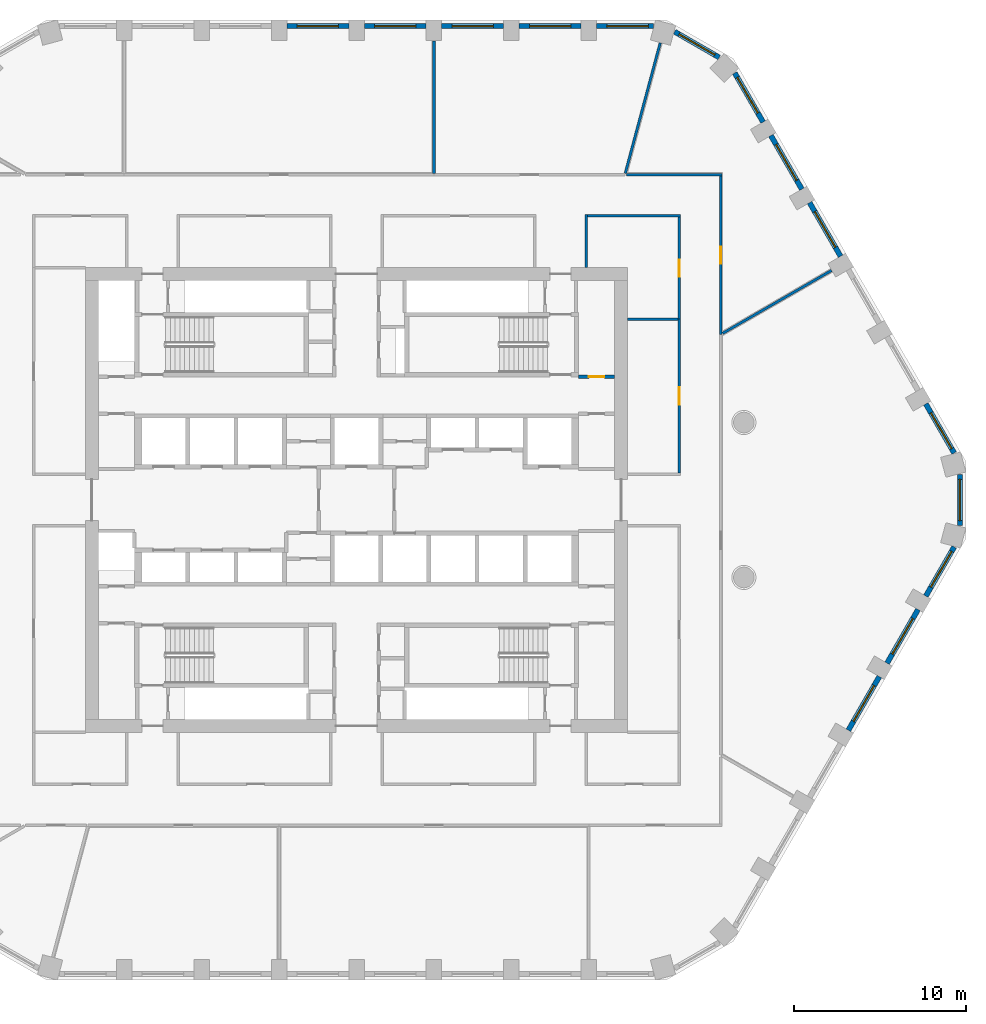
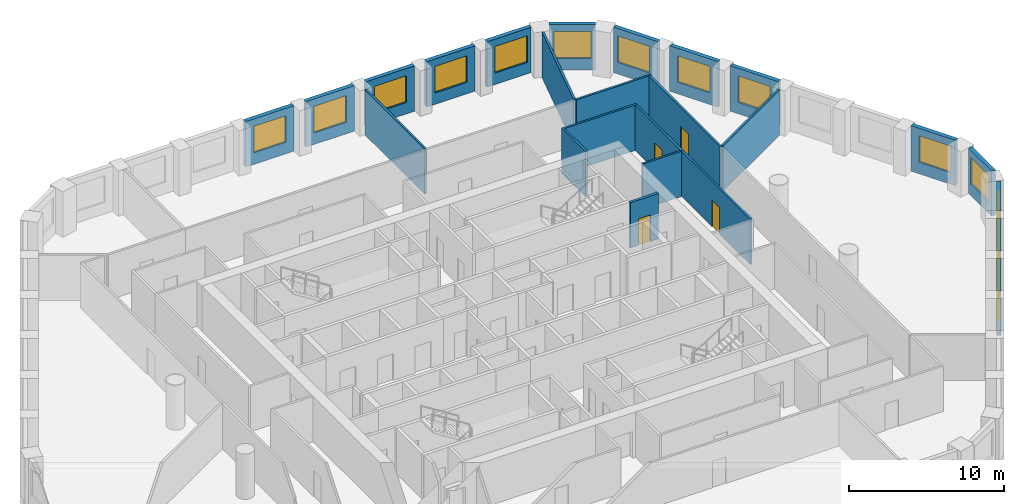
# One storey, part 8 of 14: 25 walls, 14 windows, 4 doors, 18 openings.
"""IFC4 building model written with IfcOpenShell, lengths in metres."""

from ifc_helpers import new_model, si_unit, direction, frame, frame_2d, origin, place, context, subcontext, project, spatial, rectangle, extrude, material, layer, layer_set, type_object, element, fill, save


model = new_model("IFC4")

# Units and contexts
model_context = context("Model", 3, precision=1e-05, world=origin(), true_north=direction((0.0, 1.0)))
body_context = subcontext(model_context, "Body", "Model", "MODEL_VIEW")
ifc_project = project(units=[si_unit("LENGTHUNIT", "METRE"), si_unit("AREAUNIT", "SQUARE_METRE"), si_unit("VOLUMEUNIT", "CUBIC_METRE"), si_unit("PLANEANGLEUNIT", "RADIAN"), si_unit("MASSUNIT", "GRAM", prefix="KILO")], contexts=[model_context])

# Site, building, storey
site_placement = place(None, origin())
site = spatial("IfcSite", under=ifc_project, at=site_placement, CompositionType="ELEMENT")
building_placement = place(site_placement, origin())
building = spatial("IfcBuilding", under=site, at=building_placement, Name="Dhurran Vertical Campus", CompositionType="ELEMENT")
storey_placement = place(building_placement, frame((0.0, 0.0, 136.5)))
storey = spatial("IfcBuildingStorey", under=building, at=storey_placement, Name="L33", CompositionType="ELEMENT", Elevation=136.5)

# Wall, opening, window
ifc_material_1 = material(Name="Precast concrete C50/60", Category="concrete")
ifc_layer_1 = layer(ifc_material_1, 0.300048828125)
ifc_layer_set_1 = layer_set([ifc_layer_1], Name="Precast concrete C50/60")
wall_type_1 = type_object("IfcWallType", Name="Precast spandrel wall 300", PredefinedType="SOLIDWALL", material=ifc_layer_set_1)
wall_1_placement = place(storey_placement, frame((28.5693359375, -13.376220703125, 0.0), z_axis=(0.0, 0.0, 1.0), x_axis=(0.500027802648, 0.866009351323, 0.0)))
wall_1 = element("IfcWall", 1, at=wall_1_placement, inside=storey, type_object=wall_type_1, Name="EW1 L33.12", PredefinedType="SOLIDWALL", context=body_context, shape_type="SweptSolid", body=[
    extrude(rectangle(XDim=3.598876953125, YDim=0.300048828125, at=frame_2d((1.79931640625, 0.0))), origin(), (0.0, 0.0, 1.0), 3.574951171875),
])
opening_1_placement = place(wall_1_placement, frame((0.599609375, 0.0, 0.89990234375)))
opening_1 = element("IfcOpeningElement", 2, at=opening_1_placement, cuts=wall_1, Name="Opening WT1", PredefinedType="OPENING", context=body_context, shape_type="SweptSolid", body=[
    extrude(rectangle(XDim=2.39990234375, YDim=2.10009765625, at=frame_2d((1.199951171875, 1.050048828125))), frame((0.0, 0.159912109375, 0.0), z_axis=(0.0, -1.0, 0.0), x_axis=(1.0, 0.0, 0.0)), (0.0, 0.0, 1.0), 0.320068359375),
])
ifc_material_2 = material(Name="Aluminium frame with solar-control glass", Category="aluminium")
window_type = type_object("IfcWindowType", Name="Punched window 2400 x 2100", PartitioningType="SINGLE_PANEL", PredefinedType="WINDOW", material=ifc_material_2)
window_1_placement = place(opening_1_placement, origin())
window_1 = element("IfcWindow", 3, at=window_1_placement, inside=storey, type_object=window_type, Name="WT1 L33.12", OverallHeight=2.10009765625, OverallWidth=2.39990234375, PartitioningType="SINGLE_PANEL", PredefinedType="WINDOW", context=body_context, shape_type="SweptSolid", body=[
    extrude(rectangle(XDim=2.39990234375, YDim=2.10009765625, at=frame_2d((1.199951171875, 1.050048828125))), frame((0.0, 0.030029296875, 0.0), z_axis=(0.0, -1.0, 0.0), x_axis=(1.0, 0.0, 0.0)), (0.0, 0.0, 1.0), 0.06005859375),
])
fill(opening_1, window_1)

wall_2_placement = place(storey_placement, frame((30.8193359375, -9.47900390625, 0.0), z_axis=(0.0, 0.0, 1.0), x_axis=(0.500027802648, 0.866009351323, 0.0)))
wall_2 = element("IfcWall", 4, at=wall_2_placement, inside=storey, type_object=wall_type_1, Name="EW1 L33.13", PredefinedType="SOLIDWALL", context=body_context, shape_type="SweptSolid", body=[
    extrude(rectangle(XDim=3.598876953125, YDim=0.300048828125, at=frame_2d((1.79931640625, 0.0))), origin(), (0.0, 0.0, 1.0), 3.574951171875),
])
opening_2_placement = place(wall_2_placement, frame((0.599609375, 0.0, 0.89990234375)))
opening_2 = element("IfcOpeningElement", 5, at=opening_2_placement, cuts=wall_2, Name="Opening WT1", PredefinedType="OPENING", context=body_context, shape_type="SweptSolid", body=[
    extrude(rectangle(XDim=2.39990234375, YDim=2.10009765625, at=frame_2d((1.199951171875, 1.050048828125))), frame((0.0, 0.159912109375, 0.0), z_axis=(0.0, -1.0, 0.0), x_axis=(1.0, 0.0, 0.0)), (0.0, 0.0, 1.0), 0.320068359375),
])
window_2_placement = place(opening_2_placement, origin())
window_2 = element("IfcWindow", 6, at=window_2_placement, inside=storey, type_object=window_type, Name="WT1 L33.13", OverallHeight=2.10009765625, OverallWidth=2.39990234375, PartitioningType="SINGLE_PANEL", PredefinedType="WINDOW", context=body_context, shape_type="SweptSolid", body=[
    extrude(rectangle(XDim=2.39990234375, YDim=2.10009765625, at=frame_2d((1.199951171875, 1.050048828125))), frame((0.0, 0.030029296875, 0.0), z_axis=(0.0, -1.0, 0.0), x_axis=(1.0, 0.0, 0.0)), (0.0, 0.0, 1.0), 0.06005859375),
])
fill(opening_2, window_2)

wall_3_placement = place(storey_placement, frame((33.0693359375, -5.58203125, 0.0), z_axis=(0.0, 0.0, 1.0), x_axis=(0.499981217486, 0.866036247602, 0.0)))
wall_3 = element("IfcWall", 7, at=wall_3_placement, inside=storey, type_object=wall_type_1, Name="EW1 L33.14", PredefinedType="SOLIDWALL", context=body_context, shape_type="SweptSolid", body=[
    extrude(rectangle(XDim=3.294189453125, YDim=0.300048828125, at=frame_2d((1.64697265625, 0.0))), origin(), (0.0, 0.0, 1.0), 3.574951171875),
])
opening_3_placement = place(wall_3_placement, frame((0.599609375, 0.0, 0.89990234375)))
opening_3 = element("IfcOpeningElement", 8, at=opening_3_placement, cuts=wall_3, Name="Opening WT1", PredefinedType="OPENING", context=body_context, shape_type="SweptSolid", body=[
    extrude(rectangle(XDim=2.39990234375, YDim=2.10009765625, at=frame_2d((1.199951171875, 1.050048828125))), frame((0.0, 0.159912109375, 0.0), z_axis=(0.0, -1.0, 0.0), x_axis=(1.0, 0.0, 0.0)), (0.0, 0.0, 1.0), 0.320068359375),
])
window_3_placement = place(opening_3_placement, origin())
window_3 = element("IfcWindow", 9, at=window_3_placement, inside=storey, type_object=window_type, Name="WT1 L33.14", OverallHeight=2.10009765625, OverallWidth=2.39990234375, PartitioningType="SINGLE_PANEL", PredefinedType="WINDOW", context=body_context, shape_type="SweptSolid", body=[
    extrude(rectangle(XDim=2.39990234375, YDim=2.10009765625, at=frame_2d((1.199951171875, 1.050048828125))), frame((0.0, 0.030029296875, 0.0), z_axis=(0.0, -1.0, 0.0), x_axis=(1.0, 0.0, 0.0)), (0.0, 0.0, 1.0), 0.06005859375),
])
fill(opening_3, window_3)

wall_4_placement = place(storey_placement, frame((35.047119140625, -1.49462890625, 0.0), z_axis=(0.0, 0.0, 1.0), x_axis=(0.0, 1.0, 0.0)))
wall_4 = element("IfcWall", 10, at=wall_4_placement, inside=storey, type_object=wall_type_1, Name="EW1 L33.15", PredefinedType="SOLIDWALL", context=body_context, shape_type="SweptSolid", body=[
    extrude(rectangle(XDim=2.9892578125, YDim=0.300048828125, at=frame_2d((1.49462890625, 0.0))), origin(), (0.0, 0.0, 1.0), 3.574951171875),
])
opening_4_placement = place(wall_4_placement, frame((0.294677734375, 0.0, 0.89990234375)))
opening_4 = element("IfcOpeningElement", 11, at=opening_4_placement, cuts=wall_4, Name="Opening WT1", PredefinedType="OPENING", context=body_context, shape_type="SweptSolid", body=[
    extrude(rectangle(XDim=2.39990234375, YDim=2.10009765625, at=frame_2d((1.199951171875, 1.050048828125))), frame((0.0, 0.159912109375, 0.0), z_axis=(0.0, -1.0, 0.0), x_axis=(1.0, 0.0, 0.0)), (0.0, 0.0, 1.0), 0.320068359375),
])
window_4_placement = place(opening_4_placement, origin())
window_4 = element("IfcWindow", 12, at=window_4_placement, inside=storey, type_object=window_type, Name="WT1 L33.15", OverallHeight=2.10009765625, OverallWidth=2.39990234375, PartitioningType="SINGLE_PANEL", PredefinedType="WINDOW", context=body_context, shape_type="SweptSolid", body=[
    extrude(rectangle(XDim=2.39990234375, YDim=2.10009765625, at=frame_2d((1.199951171875, 1.050048828125))), frame((0.0, 0.030029296875, 0.0), z_axis=(0.0, -1.0, 0.0), x_axis=(1.0, 0.0, 0.0)), (0.0, 0.0, 1.0), 0.06005859375),
])
fill(opening_4, window_4)

wall_5_placement = place(storey_placement, frame((34.71630859375, 2.729248046875, 0.0), z_axis=(0.0, 0.0, 1.0), x_axis=(-0.499981217486, 0.866036247602, 0.0)))
wall_5 = element("IfcWall", 13, at=wall_5_placement, inside=storey, type_object=wall_type_1, Name="EW1 L33.16", PredefinedType="SOLIDWALL", context=body_context, shape_type="SweptSolid", body=[
    extrude(rectangle(XDim=3.294189453125, YDim=0.300048828125, at=frame_2d((1.64697265625, 0.0))), origin(), (0.0, 0.0, 1.0), 3.574951171875),
])
opening_5_placement = place(wall_5_placement, frame((0.294677734375, 0.0, 0.89990234375)))
opening_5 = element("IfcOpeningElement", 14, at=opening_5_placement, cuts=wall_5, Name="Opening WT1", PredefinedType="OPENING", context=body_context, shape_type="SweptSolid", body=[
    extrude(rectangle(XDim=2.39990234375, YDim=2.10009765625, at=frame_2d((1.199951171875, 1.050048828125))), frame((0.0, 0.159912109375, 0.0), z_axis=(0.0, -1.0, 0.0), x_axis=(1.0, 0.0, 0.0)), (0.0, 0.0, 1.0), 0.320068359375),
])
window_5_placement = place(opening_5_placement, origin())
window_5 = element("IfcWindow", 15, at=window_5_placement, inside=storey, type_object=window_type, Name="WT1 L33.16", OverallHeight=2.10009765625, OverallWidth=2.39990234375, PartitioningType="SINGLE_PANEL", PredefinedType="WINDOW", context=body_context, shape_type="SweptSolid", body=[
    extrude(rectangle(XDim=2.39990234375, YDim=2.10009765625, at=frame_2d((1.199951171875, 1.050048828125))), frame((0.0, 0.030029296875, 0.0), z_axis=(0.0, -1.0, 0.0), x_axis=(1.0, 0.0, 0.0)), (0.0, 0.0, 1.0), 0.06005859375),
])
fill(opening_5, window_5)

wall_6_placement = place(storey_placement, frame((28.118896484375, 14.156494140625, 0.0), z_axis=(0.0, 0.0, 1.0), x_axis=(-0.500027802648, 0.866009351323, 0.0)))
wall_6 = element("IfcWall", 16, at=wall_6_placement, inside=storey, type_object=wall_type_1, Name="EW1 L33.19", PredefinedType="SOLIDWALL", context=body_context, shape_type="SweptSolid", body=[
    extrude(rectangle(XDim=3.598876953125, YDim=0.300048828125, at=frame_2d((1.79931640625, 0.0))), origin(), (0.0, 0.0, 1.0), 3.574951171875),
])
opening_6_placement = place(wall_6_placement, frame((0.599609375, 0.0, 0.89990234375)))
opening_6 = element("IfcOpeningElement", 17, at=opening_6_placement, cuts=wall_6, Name="Opening WT1", PredefinedType="OPENING", context=body_context, shape_type="SweptSolid", body=[
    extrude(rectangle(XDim=2.39990234375, YDim=2.10009765625, at=frame_2d((1.199951171875, 1.050048828125))), frame((0.0, 0.159912109375, 0.0), z_axis=(0.0, -1.0, 0.0), x_axis=(1.0, 0.0, 0.0)), (0.0, 0.0, 1.0), 0.320068359375),
])
window_6_placement = place(opening_6_placement, origin())
window_6 = element("IfcWindow", 18, at=window_6_placement, inside=storey, type_object=window_type, Name="WT1 L33.19", OverallHeight=2.10009765625, OverallWidth=2.39990234375, PartitioningType="SINGLE_PANEL", PredefinedType="WINDOW", context=body_context, shape_type="SweptSolid", body=[
    extrude(rectangle(XDim=2.39990234375, YDim=2.10009765625, at=frame_2d((1.199951171875, 1.050048828125))), frame((0.0, 0.030029296875, 0.0), z_axis=(0.0, -1.0, 0.0), x_axis=(1.0, 0.0, 0.0)), (0.0, 0.0, 1.0), 0.06005859375),
])
fill(opening_6, window_6)

wall_7_placement = place(storey_placement, frame((25.868896484375, 18.0537109375, 0.0), z_axis=(0.0, 0.0, 1.0), x_axis=(-0.500027802648, 0.866009351323, 0.0)))
wall_7 = element("IfcWall", 19, at=wall_7_placement, inside=storey, type_object=wall_type_1, Name="EW1 L33.20", PredefinedType="SOLIDWALL", context=body_context, shape_type="SweptSolid", body=[
    extrude(rectangle(XDim=3.598876953125, YDim=0.300048828125, at=frame_2d((1.79931640625, 0.0))), origin(), (0.0, 0.0, 1.0), 3.574951171875),
])
opening_7_placement = place(wall_7_placement, frame((0.599609375, 0.0, 0.89990234375)))
opening_7 = element("IfcOpeningElement", 20, at=opening_7_placement, cuts=wall_7, Name="Opening WT1", PredefinedType="OPENING", context=body_context, shape_type="SweptSolid", body=[
    extrude(rectangle(XDim=2.39990234375, YDim=2.10009765625, at=frame_2d((1.199951171875, 1.050048828125))), frame((0.0, 0.159912109375, 0.0), z_axis=(0.0, -1.0, 0.0), x_axis=(1.0, 0.0, 0.0)), (0.0, 0.0, 1.0), 0.320068359375),
])
window_7_placement = place(opening_7_placement, origin())
window_7 = element("IfcWindow", 21, at=window_7_placement, inside=storey, type_object=window_type, Name="WT1 L33.20", OverallHeight=2.10009765625, OverallWidth=2.39990234375, PartitioningType="SINGLE_PANEL", PredefinedType="WINDOW", context=body_context, shape_type="SweptSolid", body=[
    extrude(rectangle(XDim=2.39990234375, YDim=2.10009765625, at=frame_2d((1.199951171875, 1.050048828125))), frame((0.0, 0.030029296875, 0.0), z_axis=(0.0, -1.0, 0.0), x_axis=(1.0, 0.0, 0.0)), (0.0, 0.0, 1.0), 0.06005859375),
])
fill(opening_7, window_7)

wall_8_placement = place(storey_placement, frame((23.618896484375, 21.95068359375, 0.0), z_axis=(0.0, 0.0, 1.0), x_axis=(-0.500036802197, 0.866004154983, 0.0)))
wall_8 = element("IfcWall", 22, at=wall_8_placement, inside=storey, type_object=wall_type_1, Name="EW1 L33.21", PredefinedType="SOLIDWALL", context=body_context, shape_type="SweptSolid", body=[
    extrude(rectangle(XDim=3.294189453125, YDim=0.300048828125, at=frame_2d((1.64697265625, 0.0))), origin(), (0.0, 0.0, 1.0), 3.574951171875),
])
opening_8_placement = place(wall_8_placement, frame((0.599609375, 0.0, 0.89990234375)))
opening_8 = element("IfcOpeningElement", 23, at=opening_8_placement, cuts=wall_8, Name="Opening WT1", PredefinedType="OPENING", context=body_context, shape_type="SweptSolid", body=[
    extrude(rectangle(XDim=2.39990234375, YDim=2.10009765625, at=frame_2d((1.199951171875, 1.050048828125))), frame((0.0, 0.159912109375, 0.0), z_axis=(0.0, -1.0, 0.0), x_axis=(1.0, 0.0, 0.0)), (0.0, 0.0, 1.0), 0.320068359375),
])
window_8_placement = place(opening_8_placement, origin())
window_8 = element("IfcWindow", 24, at=window_8_placement, inside=storey, type_object=window_type, Name="WT1 L33.21", OverallHeight=2.10009765625, OverallWidth=2.39990234375, PartitioningType="SINGLE_PANEL", PredefinedType="WINDOW", context=body_context, shape_type="SweptSolid", body=[
    extrude(rectangle(XDim=2.39990234375, YDim=2.10009765625, at=frame_2d((1.199951171875, 1.050048828125))), frame((0.0, 0.030029296875, 0.0), z_axis=(0.0, -1.0, 0.0), x_axis=(1.0, 0.0, 0.0)), (0.0, 0.0, 1.0), 0.06005859375),
])
fill(opening_8, window_8)

wall_9_placement = place(storey_placement, frame((21.06787109375, 25.707275390625, 0.0), z_axis=(0.0, 0.0, 1.0), x_axis=(-0.866012844897, 0.500021752, 0.0)))
wall_9 = element("IfcWall", 25, at=wall_9_placement, inside=storey, type_object=wall_type_1, Name="EW1 L33.22", PredefinedType="SOLIDWALL", context=body_context, shape_type="SweptSolid", body=[
    extrude(rectangle(XDim=2.989013671875, YDim=0.300048828125, at=frame_2d((1.49462890625, 0.0))), origin(), (0.0, 0.0, 1.0), 3.574951171875),
])
opening_9_placement = place(wall_9_placement, frame((0.294677734375, 0.0, 0.89990234375)))
opening_9 = element("IfcOpeningElement", 26, at=opening_9_placement, cuts=wall_9, Name="Opening WT1", PredefinedType="OPENING", context=body_context, shape_type="SweptSolid", body=[
    extrude(rectangle(XDim=2.39990234375, YDim=2.10009765625, at=frame_2d((1.199951171875, 1.050048828125))), frame((0.0, 0.159912109375, 0.0), z_axis=(0.0, -1.0, 0.0), x_axis=(1.0, 0.0, 0.0)), (0.0, 0.0, 1.0), 0.320068359375),
])
window_9_placement = place(opening_9_placement, origin())
window_9 = element("IfcWindow", 27, at=window_9_placement, inside=storey, type_object=window_type, Name="WT1 L33.22", OverallHeight=2.10009765625, OverallWidth=2.39990234375, PartitioningType="SINGLE_PANEL", PredefinedType="WINDOW", context=body_context, shape_type="SweptSolid", body=[
    extrude(rectangle(XDim=2.39990234375, YDim=2.10009765625, at=frame_2d((1.199951171875, 1.050048828125))), frame((0.0, 0.030029296875, 0.0), z_axis=(0.0, -1.0, 0.0), x_axis=(1.0, 0.0, 0.0)), (0.0, 0.0, 1.0), 0.06005859375),
])
fill(opening_9, window_9)

wall_10_placement = place(storey_placement, frame((17.24462890625, 27.53271484375, 0.0), z_axis=(0.0, 0.0, 1.0), x_axis=(-1.0, 0.0, 0.0)))
wall_10 = element("IfcWall", 28, at=wall_10_placement, inside=storey, type_object=wall_type_1, Name="EW1 L33.23", PredefinedType="SOLIDWALL", context=body_context, shape_type="SweptSolid", body=[
    extrude(rectangle(XDim=3.294189453125, YDim=0.300048828125, at=frame_2d((1.64697265625, 0.0))), origin(), (0.0, 0.0, 1.0), 3.574951171875),
])
opening_10_placement = place(wall_10_placement, frame((0.294677734375, 0.0, 0.89990234375)))
opening_10 = element("IfcOpeningElement", 29, at=opening_10_placement, cuts=wall_10, Name="Opening WT1", PredefinedType="OPENING", context=body_context, shape_type="SweptSolid", body=[
    extrude(rectangle(XDim=2.39990234375, YDim=2.10009765625, at=frame_2d((1.199951171875, 1.050048828125))), frame((0.0, 0.159912109375, 0.0), z_axis=(0.0, -1.0, 0.0), x_axis=(1.0, 0.0, 0.0)), (0.0, 0.0, 1.0), 0.320068359375),
])
window_10_placement = place(opening_10_placement, origin())
window_10 = element("IfcWindow", 30, at=window_10_placement, inside=storey, type_object=window_type, Name="WT1 L33.23", OverallHeight=2.10009765625, OverallWidth=2.39990234375, PartitioningType="SINGLE_PANEL", PredefinedType="WINDOW", context=body_context, shape_type="SweptSolid", body=[
    extrude(rectangle(XDim=2.39990234375, YDim=2.10009765625, at=frame_2d((1.199951171875, 1.050048828125))), frame((0.0, 0.030029296875, 0.0), z_axis=(0.0, -1.0, 0.0), x_axis=(1.0, 0.0, 0.0)), (0.0, 0.0, 1.0), 0.06005859375),
])
fill(opening_10, window_10)

wall_11_placement = place(storey_placement, frame((13.049560546875, 27.53271484375, 0.0), z_axis=(0.0, 0.0, 1.0), x_axis=(-1.0, 0.0, 0.0)))
wall_11 = element("IfcWall", 31, at=wall_11_placement, inside=storey, type_object=wall_type_1, Name="EW1 L33.24", PredefinedType="SOLIDWALL", context=body_context, shape_type="SweptSolid", body=[
    extrude(rectangle(XDim=3.59912109375, YDim=0.300048828125, at=frame_2d((1.799560546875, 0.0))), origin(), (0.0, 0.0, 1.0), 3.574951171875),
])
opening_11_placement = place(wall_11_placement, frame((0.599609375, 0.0, 0.89990234375)))
opening_11 = element("IfcOpeningElement", 32, at=opening_11_placement, cuts=wall_11, Name="Opening WT1", PredefinedType="OPENING", context=body_context, shape_type="SweptSolid", body=[
    extrude(rectangle(XDim=2.39990234375, YDim=2.10009765625, at=frame_2d((1.199951171875, 1.050048828125))), frame((0.0, 0.159912109375, 0.0), z_axis=(0.0, -1.0, 0.0), x_axis=(1.0, 0.0, 0.0)), (0.0, 0.0, 1.0), 0.320068359375),
])
window_11_placement = place(opening_11_placement, origin())
window_11 = element("IfcWindow", 33, at=window_11_placement, inside=storey, type_object=window_type, Name="WT1 L33.24", OverallHeight=2.10009765625, OverallWidth=2.39990234375, PartitioningType="SINGLE_PANEL", PredefinedType="WINDOW", context=body_context, shape_type="SweptSolid", body=[
    extrude(rectangle(XDim=2.39990234375, YDim=2.10009765625, at=frame_2d((1.199951171875, 1.050048828125))), frame((0.0, 0.030029296875, 0.0), z_axis=(0.0, -1.0, 0.0), x_axis=(1.0, 0.0, 0.0)), (0.0, 0.0, 1.0), 0.06005859375),
])
fill(opening_11, window_11)

wall_12_placement = place(storey_placement, frame((8.549560546875, 27.53271484375, 0.0), z_axis=(0.0, 0.0, 1.0), x_axis=(-1.0, 0.0, 0.0)))
wall_12 = element("IfcWall", 34, at=wall_12_placement, inside=storey, type_object=wall_type_1, Name="EW1 L33.25", PredefinedType="SOLIDWALL", context=body_context, shape_type="SweptSolid", body=[
    extrude(rectangle(XDim=3.59912109375, YDim=0.300048828125, at=frame_2d((1.799560546875, 0.0))), origin(), (0.0, 0.0, 1.0), 3.574951171875),
])
opening_12_placement = place(wall_12_placement, frame((0.599609375, 0.0, 0.89990234375)))
opening_12 = element("IfcOpeningElement", 35, at=opening_12_placement, cuts=wall_12, Name="Opening WT1", PredefinedType="OPENING", context=body_context, shape_type="SweptSolid", body=[
    extrude(rectangle(XDim=2.39990234375, YDim=2.10009765625, at=frame_2d((1.199951171875, 1.050048828125))), frame((0.0, 0.159912109375, 0.0), z_axis=(0.0, -1.0, 0.0), x_axis=(1.0, 0.0, 0.0)), (0.0, 0.0, 1.0), 0.320068359375),
])
window_12_placement = place(opening_12_placement, origin())
window_12 = element("IfcWindow", 36, at=window_12_placement, inside=storey, type_object=window_type, Name="WT1 L33.25", OverallHeight=2.10009765625, OverallWidth=2.39990234375, PartitioningType="SINGLE_PANEL", PredefinedType="WINDOW", context=body_context, shape_type="SweptSolid", body=[
    extrude(rectangle(XDim=2.39990234375, YDim=2.10009765625, at=frame_2d((1.199951171875, 1.050048828125))), frame((0.0, 0.030029296875, 0.0), z_axis=(0.0, -1.0, 0.0), x_axis=(1.0, 0.0, 0.0)), (0.0, 0.0, 1.0), 0.06005859375),
])
fill(opening_12, window_12)

wall_13_placement = place(storey_placement, frame((4.049560546875, 27.53271484375, 0.0), z_axis=(0.0, 0.0, 1.0), x_axis=(-1.0, 0.0, 0.0)))
wall_13 = element("IfcWall", 37, at=wall_13_placement, inside=storey, type_object=wall_type_1, Name="EW1 L33.26", PredefinedType="SOLIDWALL", context=body_context, shape_type="SweptSolid", body=[
    extrude(rectangle(XDim=3.59912109375, YDim=0.300048828125, at=frame_2d((1.799560546875, 0.0))), origin(), (0.0, 0.0, 1.0), 3.574951171875),
])
opening_13_placement = place(wall_13_placement, frame((0.599609375, 0.0, 0.89990234375)))
opening_13 = element("IfcOpeningElement", 38, at=opening_13_placement, cuts=wall_13, Name="Opening WT1", PredefinedType="OPENING", context=body_context, shape_type="SweptSolid", body=[
    extrude(rectangle(XDim=2.39990234375, YDim=2.10009765625, at=frame_2d((1.199951171875, 1.050048828125))), frame((0.0, 0.159912109375, 0.0), z_axis=(0.0, -1.0, 0.0), x_axis=(1.0, 0.0, 0.0)), (0.0, 0.0, 1.0), 0.320068359375),
])
window_13_placement = place(opening_13_placement, origin())
window_13 = element("IfcWindow", 39, at=window_13_placement, inside=storey, type_object=window_type, Name="WT1 L33.26", OverallHeight=2.10009765625, OverallWidth=2.39990234375, PartitioningType="SINGLE_PANEL", PredefinedType="WINDOW", context=body_context, shape_type="SweptSolid", body=[
    extrude(rectangle(XDim=2.39990234375, YDim=2.10009765625, at=frame_2d((1.199951171875, 1.050048828125))), frame((0.0, 0.030029296875, 0.0), z_axis=(0.0, -1.0, 0.0), x_axis=(1.0, 0.0, 0.0)), (0.0, 0.0, 1.0), 0.06005859375),
])
fill(opening_13, window_13)

wall_14_placement = place(storey_placement, frame((-0.450439453125, 27.53271484375, 0.0), z_axis=(0.0, 0.0, 1.0), x_axis=(-1.0, 0.0, 0.0)))
wall_14 = element("IfcWall", 40, at=wall_14_placement, inside=storey, type_object=wall_type_1, Name="EW1 L33.27", PredefinedType="SOLIDWALL", context=body_context, shape_type="SweptSolid", body=[
    extrude(rectangle(XDim=3.59912109375, YDim=0.300048828125, at=frame_2d((1.799560546875, 0.0))), origin(), (0.0, 0.0, 1.0), 3.574951171875),
])
opening_14_placement = place(wall_14_placement, frame((0.599609375, 0.0, 0.89990234375)))
opening_14 = element("IfcOpeningElement", 41, at=opening_14_placement, cuts=wall_14, Name="Opening WT1", PredefinedType="OPENING", context=body_context, shape_type="SweptSolid", body=[
    extrude(rectangle(XDim=2.39990234375, YDim=2.10009765625, at=frame_2d((1.199951171875, 1.050048828125))), frame((0.0, 0.159912109375, 0.0), z_axis=(0.0, -1.0, 0.0), x_axis=(1.0, 0.0, 0.0)), (0.0, 0.0, 1.0), 0.320068359375),
])
window_14_placement = place(opening_14_placement, origin())
window_14 = element("IfcWindow", 42, at=window_14_placement, inside=storey, type_object=window_type, Name="WT1 L33.27", OverallHeight=2.10009765625, OverallWidth=2.39990234375, PartitioningType="SINGLE_PANEL", PredefinedType="WINDOW", context=body_context, shape_type="SweptSolid", body=[
    extrude(rectangle(XDim=2.39990234375, YDim=2.10009765625, at=frame_2d((1.199951171875, 1.050048828125))), frame((0.0, 0.030029296875, 0.0), z_axis=(0.0, -1.0, 0.0), x_axis=(1.0, 0.0, 0.0)), (0.0, 0.0, 1.0), 0.06005859375),
])
fill(opening_14, window_14)

# Wall, opening, door
ifc_material_3 = material(Name="Fire-rated masonry blockwork", Category="masonry")
ifc_layer_2 = layer(ifc_material_3, 0.199951171875)
ifc_layer_set_2 = layer_set([ifc_layer_2], Name="Fire-rated masonry blockwork")
wall_type_2 = type_object("IfcWallType", Name="co-FIRE-PARTITION-200", PredefinedType="PARTITIONING", material=ifc_layer_set_2)
wall_15_placement = place(storey_placement, frame((12.89990234375, 7.14990234375, 0.0), z_axis=(0.0, 0.0, 1.0), x_axis=(1.0, 0.0, 0.0)))
wall_15 = element("IfcWall", 43, at=wall_15_placement, inside=storey, type_object=wall_type_2, Name="Core partition en-NE-w L33", PredefinedType="PARTITIONING", context=body_context, shape_type="SweptSolid", body=[
    extrude(rectangle(XDim=2.10009765625, YDim=0.199951171875, at=frame_2d((1.050048828125, 0.0))), origin(), (0.0, 0.0, 1.0), 3.574951171875),
])
opening_15_placement = place(wall_15_placement, frame((0.60009765625, 0.0, 0.0)))
opening_15 = element("IfcOpeningElement", 44, at=opening_15_placement, cuts=wall_15, Name="Opening T09-C17", PredefinedType="OPENING", context=body_context, shape_type="SweptSolid", body=[
    extrude(rectangle(XDim=0.89990234375, YDim=2.10009765625, at=frame_2d((0.449951171875, 1.050048828125))), frame((0.0, 0.10986328125, 0.0), z_axis=(0.0, -1.0, 0.0), x_axis=(1.0, 0.0, 0.0)), (0.0, 0.0, 1.0), 0.219970703125),
])
ifc_material_4 = material(Name="Fire-rated timber door set", Category="wood")
door_type_1 = type_object("IfcDoorType", Name="co-D-ROOM 900x2100", OperationType="SINGLE_SWING_LEFT", PredefinedType="DOOR", material=ifc_material_4)
door_1_placement = place(opening_15_placement, origin())
door_1 = element("IfcDoor", 45, at=door_1_placement, inside=storey, type_object=door_type_1, Name="Server room door L33", OperationType="SINGLE_SWING_LEFT", OverallHeight=2.10009765625, OverallWidth=0.89990234375, PredefinedType="DOOR", context=body_context, shape_type="SweptSolid", body=[
    extrude(rectangle(XDim=0.89990234375, YDim=2.10009765625, at=frame_2d((0.449951171875, 1.050048828125))), frame((0.0, 0.02490234375, 0.0), z_axis=(0.0, -1.0, 0.0), x_axis=(1.0, 0.0, 0.0)), (0.0, 0.0, 1.0), 0.050048828125),
])
fill(opening_15, door_1)

# Walls
ifc_material_5 = material(Name="Gypsum board corridor wall on steel studs", Category="steel")
ifc_layer_3 = layer(ifc_material_5, 0.14990234375)
ifc_layer_set_3 = layer_set([ifc_layer_3], Name="Gypsum board corridor wall on steel studs")
wall_type_3 = type_object("IfcWallType", Name="fl-CW-150 corridor wall", PredefinedType="PARTITIONING", material=ifc_layer_set_3)
wall_16_placement = place(storey_placement, frame((13.35009765625, 13.5, 0.0), z_axis=(0.0, 0.0, 1.0), x_axis=(0.0, 1.0, 0.0)))
element("IfcWall", 46, at=wall_16_placement, inside=storey, type_object=wall_type_3, Name="Partition 33-44", PredefinedType="PARTITIONING", context=body_context, shape_type="SweptSolid", body=[
    extrude(rectangle(XDim=3.074951171875, YDim=0.14990234375, at=frame_2d((1.53759765625, 0.0))), origin(), (0.0, 0.0, 1.0), 3.574951171875),
])
wall_17_placement = place(storey_placement, frame((13.425048828125, 16.5, 0.0), z_axis=(0.0, 0.0, 1.0), x_axis=(1.0, 0.0, 0.0)))
element("IfcWall", 47, at=wall_17_placement, inside=storey, type_object=wall_type_3, Name="Partition 33-45", PredefinedType="PARTITIONING", context=body_context, shape_type="SweptSolid", body=[
    extrude(rectangle(XDim=5.39990234375, YDim=0.14990234375, at=frame_2d((2.699951171875, 0.0))), origin(), (0.0, 0.0, 1.0), 3.574951171875),
])
wall_18_placement = place(storey_placement, frame((21.22509765625, 18.89990234375, 0.0), z_axis=(0.0, 0.0, 1.0), x_axis=(-1.0, 0.0, 0.0)))
element("IfcWall", 48, at=wall_18_placement, inside=storey, type_object=wall_type_3, Name="Partition 33-49", PredefinedType="PARTITIONING", context=body_context, shape_type="SweptSolid", body=[
    extrude(rectangle(XDim=5.537109375, YDim=0.14990234375, at=frame_2d((2.7685546875, 0.0))), origin(), (0.0, 0.0, 1.0), 3.574951171875),
])

# Wall, opening, door
wall_19_placement = place(storey_placement, frame((18.75, 10.5, 0.0), z_axis=(0.0, 0.0, 1.0), x_axis=(0.0, -1.0, 0.0)))
wall_19 = element("IfcWall", 49, at=wall_19_placement, inside=storey, type_object=wall_type_3, Name="Partition 33-56", PredefinedType="PARTITIONING", context=body_context, shape_type="SweptSolid", body=[
    extrude(rectangle(XDim=8.925048828125, YDim=0.14990234375, at=frame_2d((4.46240234375, 0.0))), origin(), (0.0, 0.0, 1.0), 3.574951171875),
])
opening_16_placement = place(wall_19_placement, frame((3.96240234375, 0.0, 0.0)))
opening_16 = element("IfcOpeningElement", 50, at=opening_16_placement, cuts=wall_19, Name="Opening T09.20", PredefinedType="OPENING", context=body_context, shape_type="SweptSolid", body=[
    extrude(rectangle(XDim=1.0, YDim=2.10009765625, at=frame_2d((0.5, 1.050048828125))), frame((0.0, 0.0849609375, 0.0), z_axis=(0.0, -1.0, 0.0), x_axis=(1.0, 0.0, 0.0)), (0.0, 0.0, 1.0), 0.169921875),
])
ifc_material_6 = material(Name="Solid-core timber door set, fire-rated", Category="wood")
door_type_2 = type_object("IfcDoorType", Name="fl-D-1000x2100", OperationType="SINGLE_SWING_LEFT", PredefinedType="DOOR", material=ifc_material_6)
door_2_placement = place(opening_16_placement, origin())
door_2 = element("IfcDoor", 51, at=door_2_placement, inside=storey, type_object=door_type_2, Name="Door 33.20", OperationType="SINGLE_SWING_RIGHT", OverallHeight=2.10009765625, OverallWidth=1.0, PredefinedType="DOOR", context=body_context, shape_type="SweptSolid", body=[
    extrude(rectangle(XDim=1.0, YDim=2.10009765625, at=frame_2d((0.5, 1.050048828125))), frame((0.0, 0.02490234375, 0.0), z_axis=(0.0, -1.0, 0.0), x_axis=(1.0, 0.0, 0.0)), (0.0, 0.0, 1.0), 0.050048828125),
])
fill(opening_16, door_2)

wall_20_placement = place(storey_placement, frame((18.75, 16.425048828125, 0.0), z_axis=(0.0, 0.0, 1.0), x_axis=(0.0, -1.0, 0.0)))
wall_20 = element("IfcWall", 52, at=wall_20_placement, inside=storey, type_object=wall_type_3, Name="Partition 33-57", PredefinedType="PARTITIONING", context=body_context, shape_type="SweptSolid", body=[
    extrude(rectangle(XDim=5.925048828125, YDim=0.14990234375, at=frame_2d((2.96240234375, 0.0))), origin(), (0.0, 0.0, 1.0), 3.574951171875),
])
opening_17_placement = place(wall_20_placement, frame((2.46240234375, 0.0, 0.0)))
opening_17 = element("IfcOpeningElement", 53, at=opening_17_placement, cuts=wall_20, Name="Opening T09.18", PredefinedType="OPENING", context=body_context, shape_type="SweptSolid", body=[
    extrude(rectangle(XDim=1.0, YDim=2.10009765625, at=frame_2d((0.5, 1.050048828125))), frame((0.0, 0.0849609375, 0.0), z_axis=(0.0, -1.0, 0.0), x_axis=(1.0, 0.0, 0.0)), (0.0, 0.0, 1.0), 0.169921875),
])
door_3_placement = place(opening_17_placement, origin())
door_3 = element("IfcDoor", 54, at=door_3_placement, inside=storey, type_object=door_type_2, Name="Door 33.18", OperationType="SINGLE_SWING_LEFT", OverallHeight=2.10009765625, OverallWidth=1.0, PredefinedType="DOOR", context=body_context, shape_type="SweptSolid", body=[
    extrude(rectangle(XDim=1.0, YDim=2.10009765625, at=frame_2d((0.5, 1.050048828125))), frame((0.0, 0.02490234375, 0.0), z_axis=(0.0, -1.0, 0.0), x_axis=(1.0, 0.0, 0.0)), (0.0, 0.0, 1.0), 0.050048828125),
])
fill(opening_17, door_3)

wall_21_placement = place(storey_placement, frame((21.14990234375, 9.613037109375, 0.0), z_axis=(0.0, 0.0, 1.0), x_axis=(0.0, 1.0, 0.0)))
wall_21 = element("IfcWall", 55, at=wall_21_placement, inside=storey, type_object=wall_type_3, Name="Partition 33-61", PredefinedType="PARTITIONING", context=body_context, shape_type="SweptSolid", body=[
    extrude(rectangle(XDim=9.2119140625, YDim=0.14990234375, at=frame_2d((4.60595703125, 0.0))), origin(), (0.0, 0.0, 1.0), 3.574951171875),
])
opening_18_placement = place(wall_21_placement, frame((4.10595703125, 0.0, 0.0)))
opening_18 = element("IfcOpeningElement", 56, at=opening_18_placement, cuts=wall_21, Name="Opening T09.22", PredefinedType="OPENING", context=body_context, shape_type="SweptSolid", body=[
    extrude(rectangle(XDim=1.0, YDim=2.10009765625, at=frame_2d((0.5, 1.050048828125))), frame((0.0, 0.0849609375, 0.0), z_axis=(0.0, -1.0, 0.0), x_axis=(1.0, 0.0, 0.0)), (0.0, 0.0, 1.0), 0.169921875),
])
door_4_placement = place(opening_18_placement, origin())
door_4 = element("IfcDoor", 57, at=door_4_placement, inside=storey, type_object=door_type_2, Name="Door 33.22", OperationType="SINGLE_SWING_RIGHT", OverallHeight=2.10009765625, OverallWidth=1.0, PredefinedType="DOOR", context=body_context, shape_type="SweptSolid", body=[
    extrude(rectangle(XDim=1.0, YDim=2.10009765625, at=frame_2d((0.5, 1.050048828125))), frame((0.0, 0.02490234375, 0.0), z_axis=(0.0, -1.0, 0.0), x_axis=(1.0, 0.0, 0.0)), (0.0, 0.0, 1.0), 0.050048828125),
])
fill(opening_18, door_4)

# Walls
ifc_material_7 = material(Name="Gypsum board partition on steel studs", Category="steel")
ifc_layer_4 = layer(ifc_material_7, 0.14990234375)
ifc_layer_set_4 = layer_set([ifc_layer_4], Name="Gypsum board partition on steel studs")
wall_type_4 = type_object("IfcWallType", Name="fl-PW-150 fixed partition", PredefinedType="PARTITIONING", material=ifc_layer_set_4)
wall_22_placement = place(storey_placement, frame((4.5, 26.66259765625, 0.0), z_axis=(0.0, 0.0, 1.0), x_axis=(0.0, -1.0, 0.0)))
element("IfcWall", 58, at=wall_22_placement, inside=storey, type_object=wall_type_4, Name="Partition 33-38", PredefinedType="PARTITIONING", context=body_context, shape_type="SweptSolid", body=[
    extrude(rectangle(XDim=7.6875, YDim=0.14990234375, at=frame_2d((3.84375, 0.0))), origin(), (0.0, 0.0, 1.0), 3.574951171875),
])
wall_23_placement = place(storey_placement, frame((17.642822265625, 26.548828125, 0.0), z_axis=(0.0, 0.0, 1.0), x_axis=(-0.258869363255, -0.965912342176, 0.0)))
element("IfcWall", 59, at=wall_23_placement, inside=storey, type_object=wall_type_4, Name="Partition 33-48", PredefinedType="PARTITIONING", context=body_context, shape_type="SweptSolid", body=[
    extrude(rectangle(XDim=7.84375, YDim=0.14990234375, at=frame_2d((3.921875, 0.0))), origin(), (0.0, 0.0, 1.0), 3.574951171875),
])
wall_24_placement = place(storey_placement, frame((18.675048828125, 10.5, 0.0), z_axis=(0.0, 0.0, 1.0), x_axis=(-1.0, 0.0, 0.0)))
element("IfcWall", 60, at=wall_24_placement, inside=storey, type_object=wall_type_4, Name="Partition 33-53", PredefinedType="PARTITIONING", context=body_context, shape_type="SweptSolid", body=[
    extrude(rectangle(XDim=2.925048828125, YDim=0.14990234375, at=frame_2d((1.46240234375, 0.0))), origin(), (0.0, 0.0, 1.0), 3.574951171875),
])
wall_25_placement = place(storey_placement, frame((27.590576171875, 13.331298828125, 0.0), z_axis=(0.0, 0.0, 1.0), x_axis=(-0.866030346483, -0.499991438897, 0.0)))
element("IfcWall", 61, at=wall_25_placement, inside=storey, type_object=wall_type_4, Name="Partition 33-62", PredefinedType="PARTITIONING", context=body_context, shape_type="SweptSolid", body=[
    extrude(rectangle(XDim=7.306884765625, YDim=0.14990234375, at=frame_2d((3.6533203125, 0.0))), origin(), (0.0, 0.0, 1.0), 3.574951171875),
])

save(model, "model.ifc")
